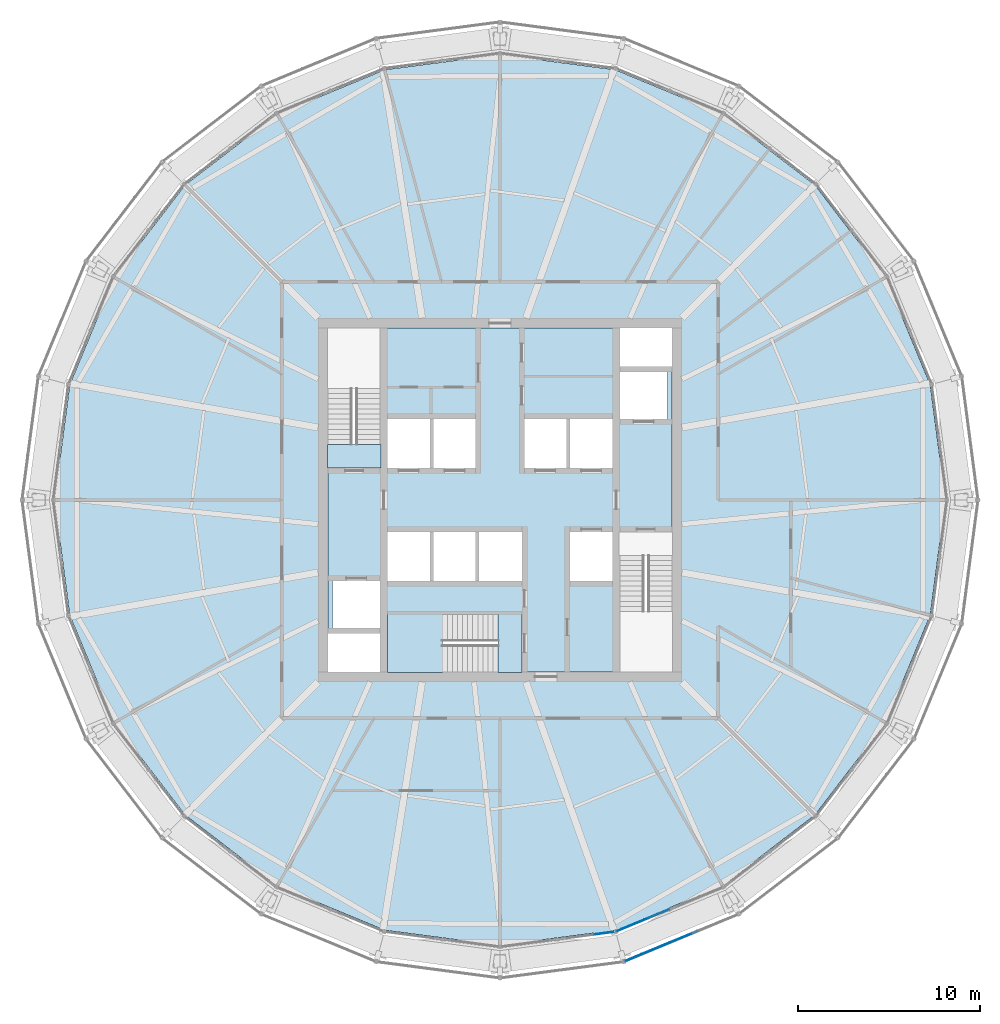
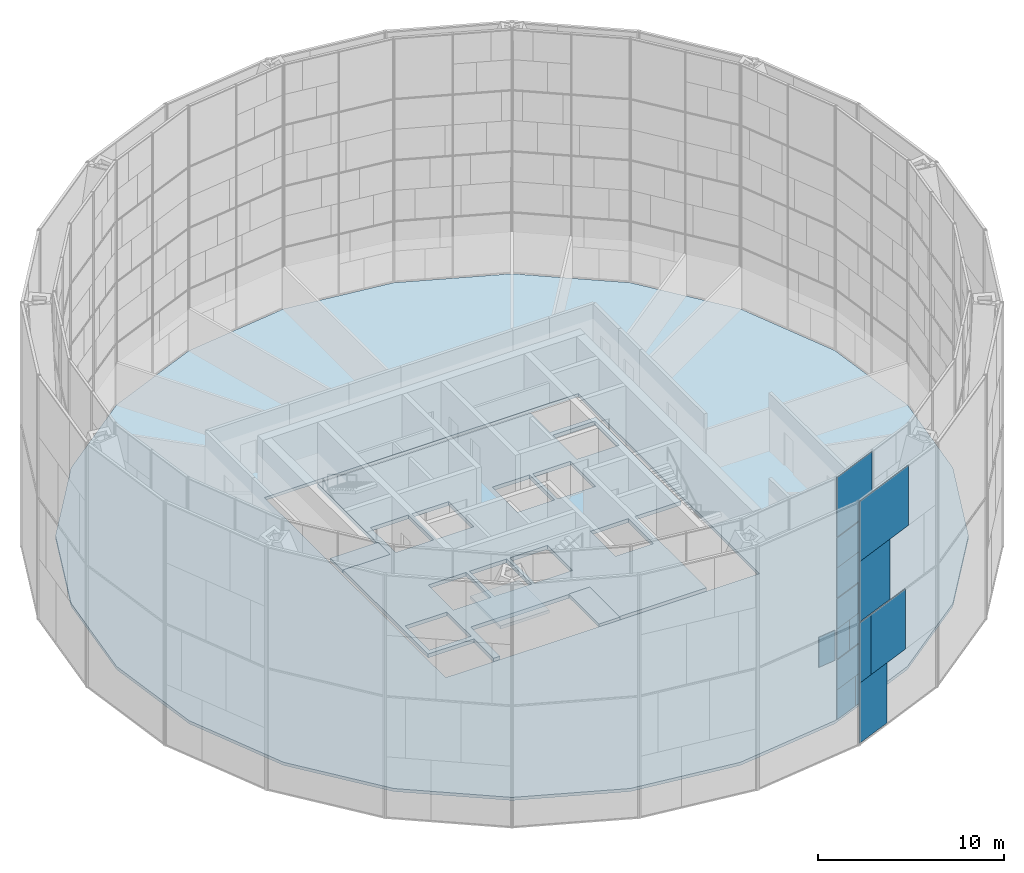
# One storey, part 17 of 30: 15 plates, 5 slabs, 4 elements without a shape of their own.
"""IFC4 building model written with IfcOpenShell, lengths in metres."""

from ifc_helpers import new_model, si_unit, direction, frame, origin, origin_2d, place, context, subcontext, project, spatial, polyline, rectangle, outline, extrude, material, layer, layer_set, type_object, element, aggregate, save


model = new_model("IFC4")

# Units and contexts
model_context = context("Model", 3, precision=1e-05, world=origin(), true_north=direction((0.0, 1.0)))
body_context = subcontext(model_context, "Body", "Model", "MODEL_VIEW")
ifc_project = project(units=[si_unit("LENGTHUNIT", "METRE"), si_unit("AREAUNIT", "SQUARE_METRE"), si_unit("VOLUMEUNIT", "CUBIC_METRE"), si_unit("PLANEANGLEUNIT", "RADIAN"), si_unit("MASSUNIT", "GRAM", prefix="KILO")], contexts=[model_context])

# Site, building, storey
site_placement = place(None, origin())
site = spatial("IfcSite", under=ifc_project, at=site_placement, CompositionType="ELEMENT")
building_placement = place(site_placement, origin())
building = spatial("IfcBuilding", under=site, at=building_placement, Name="Golbaran Civic Tower", CompositionType="ELEMENT")
storey_placement = place(building_placement, frame((0.0, 0.0, 102.0)))
storey = spatial("IfcBuildingStorey", under=building, at=storey_placement, Name="L24", CompositionType="ELEMENT", Elevation=102.0)

# Slabs
ifc_material_1 = material(Name="Concrete LC30/33 lightweight on steel deck", Category="concrete")
ifc_layer_1 = layer(ifc_material_1, 0.199951171875, Name="Concrete LC30/33 lightweight on steel deck")
ifc_layer_set_1 = layer_set([ifc_layer_1], Name="Concrete LC30/33 lightweight on steel deck")
slab_type_1 = type_object("IfcSlabType", Name="COMPOSITE FLOOR SLAB 200", PredefinedType="FLOOR", material=ifc_layer_set_1)
slab_1_placement = place(storey_placement, frame((0.0, 0.0, -0.199951171875)))
element("IfcSlab", 1, at=slab_1_placement, inside=storey, type_object=slab_type_1, Name="Floor slab L24", PredefinedType="FLOOR", context=body_context, shape_type="SweptSolid", body=[
    extrude(outline(polyline([(21.21533203125, -12.24853515625), (17.322265625, -17.322265625), (12.24853515625, -21.21533203125), (6.34033203125, -23.66259765625), (0.0, -24.497314453125), (-6.34033203125, -23.66259765625), (-12.24853515625, -21.21533203125), (-17.322265625, -17.322265625), (-21.21533203125, -12.24853515625), (-23.66259765625, -6.34033203125), (-24.497314453125, 0.0), (-23.66259765625, 6.34033203125), (-21.21533203125, 12.24853515625), (-17.322265625, 17.322265625), (-12.24853515625, 21.21533203125), (-6.34033203125, 23.66259765625), (0.0, 24.497314453125), (6.34033203125, 23.66259765625), (12.24853515625, 21.21533203125), (17.322265625, 17.322265625), (21.21533203125, 12.24853515625), (23.66259765625, 6.34033203125), (24.497314453125, 0.0), (23.66259765625, -6.34033203125), (21.21533203125, -12.24853515625)]), holes=[polyline([(-9.72509765625, 9.72509765625), (-9.72509765625, -9.72509765625), (9.72509765625, -9.72509765625), (9.72509765625, 9.72509765625), (-9.72509765625, 9.72509765625)])]), origin(), (0.0, 0.0, 1.0), 0.199951171875),
])
ifc_material_2 = material(Name="Concrete C35/45", Category="concrete")
ifc_layer_2 = layer(ifc_material_2, 0.25, Name="Concrete C35/45")
ifc_layer_set_2 = layer_set([ifc_layer_2], Name="Concrete C35/45")
slab_type_2 = type_object("IfcSlabType", Name="CORE FLOOR SLAB 250", PredefinedType="FLOOR", material=ifc_layer_set_2)
slab_2_placement = place(storey_placement, frame((0.0, 0.0, -0.25)))
element("IfcSlab", 2, at=slab_2_placement, inside=storey, type_object=slab_type_2, Name="Core floor slab L24", PredefinedType="FLOOR", context=body_context, shape_type="SweptSolid", body=[
    extrude(outline(polyline([(6.60009765625, -1.75), (6.60009765625, -9.449951171875), (1.199951171875, -9.449951171875), (1.199951171875, -6.300048828125), (-6.199951171875, -6.300048828125), (-6.199951171875, -9.449951171875), (-6.60009765625, -9.449951171875), (-6.60009765625, -7.35009765625), (-9.449951171875, -7.35009765625), (-9.449951171875, 1.75), (-6.60009765625, 1.75), (-6.60009765625, 9.449951171875), (6.60009765625, 9.449951171875), (6.60009765625, 7.35009765625), (9.449951171875, 7.35009765625), (9.449951171875, -1.75), (6.60009765625, -1.75)]), holes=[polyline([(9.199951171875, 7.050048828125), (6.60009765625, 7.050048828125), (6.60009765625, 4.449951171875), (9.199951171875, 4.449951171875), (9.199951171875, 7.050048828125)]), polyline([(6.199951171875, -1.75), (3.85009765625, -1.75), (3.85009765625, -4.449951171875), (6.199951171875, -4.449951171875), (6.199951171875, -1.75)]), polyline([(6.199951171875, 4.449951171875), (3.85009765625, 4.449951171875), (3.85009765625, 1.75), (6.199951171875, 1.75), (6.199951171875, 4.449951171875)]), polyline([(3.64990234375, 4.449951171875), (1.35009765625, 4.449951171875), (1.35009765625, 1.75), (3.64990234375, 1.75), (3.64990234375, 4.449951171875)]), polyline([(1.199951171875, -1.75), (-1.14990234375, -1.75), (-1.14990234375, -4.449951171875), (1.199951171875, -4.449951171875), (1.199951171875, -1.75)]), polyline([(-1.35009765625, 4.449951171875), (-3.64990234375, 4.449951171875), (-3.64990234375, 1.75), (-1.35009765625, 1.75), (-1.35009765625, 4.449951171875)]), polyline([(-1.35009765625, -1.75), (-3.64990234375, -1.75), (-3.64990234375, -4.449951171875), (-1.35009765625, -4.449951171875), (-1.35009765625, -1.75)]), polyline([(-3.85009765625, -1.75), (-6.199951171875, -1.75), (-6.199951171875, -4.449951171875), (-3.85009765625, -4.449951171875), (-3.85009765625, -1.75)]), polyline([(-3.85009765625, 4.449951171875), (-6.199951171875, 4.449951171875), (-6.199951171875, 1.75), (-3.85009765625, 1.75), (-3.85009765625, 4.449951171875)]), polyline([(-6.60009765625, -4.449951171875), (-9.199951171875, -4.449951171875), (-9.199951171875, -7.050048828125), (-6.60009765625, -7.050048828125), (-6.60009765625, -4.449951171875)])]), origin(), (0.0, 0.0, 1.0), 0.25),
])

# Curtain wall, plate
ifc_material_3 = material(Name="Aluminium and glass", Category="aluminium")
curtain_wall_type_1 = type_object("IfcCurtainWallType", Name="INNER SKIN CURTAIN WALL", PredefinedType="NOTDEFINED", material=ifc_material_3)
curtain_wall_1_placement = place(storey_placement, origin())
curtain_wall_1 = element("IfcCurtainWall", 3, at=curtain_wall_1_placement, inside=storey, type_object=curtain_wall_type_1, Name="Inner skin L24 facet 19 CW1", ObjectType="INNER SKIN", PredefinedType="USERDEFINED")
ifc_material_4 = material(Name="Clear insulating glass", Category="glass")
ifc_layer_3 = layer(ifc_material_4, 0.031982421875, Name="Clear insulating glass")
ifc_layer_set_3 = layer_set([ifc_layer_3], Name="Clear insulating glass")
plate_type_1 = type_object("IfcPlateType", Name="INNER SKIN CURTAIN WALL GLAZED PANEL", PredefinedType="CURTAIN_PANEL", material=ifc_layer_set_3)
plate_1_placement = place(storey_placement, frame((5.749755859375, -23.821044921875, 4.03271484375), z_axis=(0.0, 0.0, 1.0), x_axis=(0.991444861385, 0.130526192134, 0.0)))
plate_1 = element("IfcPlate", 4, at=plate_1_placement, type_object=plate_type_1, Name="CW1 panel 2.2 part 2", PredefinedType="CURTAIN_PANEL", context=body_context, shape_type="SweptSolid", body=[
    extrude(rectangle(XDim=1.103515625, YDim=0.031982421875, at=origin_2d()), origin(), (0.0, 0.0, 1.0), 1.967529296875),
])
aggregate(curtain_wall_1, [plate_1])

# Curtain wall, plates
curtain_wall_2_placement = place(storey_placement, origin())
curtain_wall_2 = element("IfcCurtainWall", 5, at=curtain_wall_2_placement, inside=storey, type_object=curtain_wall_type_1, Name="Inner skin L24 facet 20 CW1", ObjectType="INNER SKIN", PredefinedType="USERDEFINED")
plate_2_placement = place(storey_placement, frame((8.620361328125, -22.8046875, 0.06494140625), z_axis=(0.0, 0.0, 1.0), x_axis=(0.923879532465, 0.382683432478, 0.0)))
plate_2 = element("IfcPlate", 6, at=plate_2_placement, type_object=plate_type_1, Name="CW1 panel 1.1 part 2", PredefinedType="CURTAIN_PANEL", context=body_context, shape_type="SweptSolid", body=[
    extrude(rectangle(XDim=1.460693359375, YDim=0.031982421875, at=origin_2d()), origin(), (0.0, 0.0, 1.0), 1.951171875),
])
plate_3_placement = place(storey_placement, frame((6.931396484375, -23.50439453125, 4.03271484375), z_axis=(0.0, 0.0, 1.0), x_axis=(0.923879532465, 0.382683432478, 0.0)))
plate_3 = element("IfcPlate", 7, at=plate_3_placement, type_object=plate_type_1, Name="CW1 panel 1.2 part 1", PredefinedType="CURTAIN_PANEL", context=body_context, shape_type="SweptSolid", body=[
    extrude(rectangle(XDim=1.10400390625, YDim=0.031982421875, at=origin_2d()), origin(), (0.0, 0.0, 1.0), 1.967529296875),
])
plate_4_placement = place(storey_placement, frame((7.307861328125, -23.348388671875, 6.0), z_axis=(0.0, 0.0, 1.0), x_axis=(0.923879532465, 0.382683432478, 0.0)))
plate_4 = element("IfcPlate", 8, at=plate_4_placement, type_object=plate_type_1, Name="CW1 panel 1.2 part 3", PredefinedType="CURTAIN_PANEL", context=body_context, shape_type="SweptSolid", body=[
    extrude(rectangle(XDim=1.9189453125, YDim=0.031982421875, at=origin_2d()), origin(), (0.0, 0.0, 1.0), 1.967529296875),
])
plate_5_placement = place(storey_placement, frame((7.672607421875, -23.197265625, 8.03271484375), z_axis=(0.0, 0.0, 1.0), x_axis=(0.923879532465, 0.382683432478, 0.0)))
plate_5 = element("IfcPlate", 9, at=plate_5_placement, type_object=plate_type_1, Name="CW1 panel 1.3 part 1", PredefinedType="CURTAIN_PANEL", context=body_context, shape_type="SweptSolid", body=[
    extrude(rectangle(XDim=2.708984375, YDim=0.031982421875, at=origin_2d()), origin(), (0.0, 0.0, 1.0), 1.967529296875),
])
plate_6_placement = place(storey_placement, frame((7.858154296875, -23.120361328125, 10.0), z_axis=(0.0, 0.0, 1.0), x_axis=(0.923879532465, 0.382683432478, 0.0)))
plate_6 = element("IfcPlate", 10, at=plate_6_placement, type_object=plate_type_1, Name="CW1 panel 1.3 part 3", PredefinedType="CURTAIN_PANEL", context=body_context, shape_type="SweptSolid", body=[
    extrude(rectangle(XDim=3.110595703125, YDim=0.031982421875, at=origin_2d()), origin(), (0.0, 0.0, 1.0), 1.967529296875),
])
plate_7_placement = place(storey_placement, frame((7.858154296875, -23.120361328125, 12.0322265625), z_axis=(0.0, 0.0, 1.0), x_axis=(0.923879532465, 0.382683432478, 0.0)))
plate_7 = element("IfcPlate", 11, at=plate_7_placement, type_object=plate_type_1, Name="CW1 panel 1.4", PredefinedType="CURTAIN_PANEL", context=body_context, shape_type="SweptSolid", body=[
    extrude(rectangle(XDim=3.110595703125, YDim=0.031982421875, at=origin_2d()), origin(), (0.0, 0.0, 1.0), 3.902587890625),
])
ifc_material_5 = material(Name="Aluminium faced opaque infill panel", Category="aluminium")
ifc_layer_4 = layer(ifc_material_5, 0.031982421875, Name="Aluminium faced opaque infill panel")
ifc_layer_set_4 = layer_set([ifc_layer_4], Name="Aluminium faced opaque infill panel")
plate_type_2 = type_object("IfcPlateType", Name="INNER SKIN CURTAIN WALL OPAQUE INFILL PANEL", PredefinedType="CURTAIN_PANEL", material=ifc_layer_set_4)
plate_8_placement = place(storey_placement, frame((7.18359375, -23.39990234375, 0.06494140625), z_axis=(0.0, 0.0, 1.0), x_axis=(0.923879532465, 0.382683432478, 0.0)))
plate_8 = element("IfcPlate", 12, at=plate_8_placement, type_object=plate_type_2, Name="CW1 infill panel 1.1 part 1", PredefinedType="CURTAIN_PANEL", context=body_context, shape_type="SweptSolid", body=[
    extrude(rectangle(XDim=1.64990234375, YDim=0.031982421875, at=origin_2d()), origin(), (0.0, 0.0, 1.0), 1.951171875),
])
plate_9_placement = place(storey_placement, frame((7.55712890625, -23.2451171875, 2.016357421875), z_axis=(0.0, 0.0, 1.0), x_axis=(0.923879532465, 0.382683432478, 0.0)))
plate_9 = element("IfcPlate", 13, at=plate_9_placement, type_object=plate_type_2, Name="CW1 infill panel 1.1 part 3", PredefinedType="CURTAIN_PANEL", context=body_context, shape_type="SweptSolid", body=[
    extrude(rectangle(XDim=2.458984375, YDim=0.031982421875, at=origin_2d()), origin(), (0.0, 0.0, 1.0), 1.951171875),
])
plate_10_placement = place(storey_placement, frame((8.3681640625, -22.9091796875, 4.03271484375), z_axis=(0.0, 0.0, 1.0), x_axis=(0.923879532465, 0.382683432478, 0.0)))
plate_10 = element("IfcPlate", 14, at=plate_10_placement, type_object=plate_type_2, Name="CW1 infill panel 1.2 part 2", PredefinedType="CURTAIN_PANEL", context=body_context, shape_type="SweptSolid", body=[
    extrude(rectangle(XDim=2.006591796875, YDim=0.031982421875, at=origin_2d()), origin(), (0.0, 0.0, 1.0), 1.967529296875),
])
aggregate(curtain_wall_2, [plate_8, plate_2, plate_9, plate_3, plate_10, plate_4, plate_5, plate_6, plate_7])

curtain_wall_type_2 = type_object("IfcCurtainWallType", Name="OUTER SKIN TERRACOTTA SCREEN", PredefinedType="NOTDEFINED", material=ifc_material_3)
curtain_wall_3_placement = place(storey_placement, origin())
curtain_wall_3 = element("IfcCurtainWall", 15, at=curtain_wall_3_placement, inside=storey, type_object=curtain_wall_type_2, Name="Outer skin L24 facet 20 CW3", ObjectType="OUTER SKIN", PredefinedType="USERDEFINED")
ifc_material_6 = material(Name="Clear laminated glass", Category="glass")
ifc_layer_5 = layer(ifc_material_6, 0.0400390625, Name="Clear laminated glass")
ifc_layer_set_5 = layer_set([ifc_layer_5], Name="Clear laminated glass")
plate_type_3 = type_object("IfcPlateType", Name="OUTER SKIN CLEAR GLASS PANEL", PredefinedType="CURTAIN_PANEL", material=ifc_layer_set_5)
plate_11_placement = place(storey_placement, frame((7.346923828125, -25.172607421875, 3.31005859375), z_axis=(0.0, 0.0, 1.0), x_axis=(0.923879532505, 0.382683432381, 0.0)))
plate_11 = element("IfcPlate", 16, at=plate_11_placement, type_object=plate_type_3, Name="CW3 panel 1.1 part 3", PredefinedType="CURTAIN_PANEL", context=body_context, shape_type="SweptSolid", body=[
    extrude(rectangle(XDim=1.012939453125, YDim=0.0400390625, at=origin_2d()), origin(), (0.0, 0.0, 1.0), 3.93994140625),
])
plate_12_placement = place(storey_placement, frame((8.1162109375, -24.85400390625, 7.330078125), z_axis=(0.0, 0.0, 1.0), x_axis=(0.923879532505, 0.382683432381, 0.0)))
plate_12 = element("IfcPlate", 17, at=plate_12_placement, type_object=plate_type_3, Name="CW3 panel 1.2 part 1", PredefinedType="CURTAIN_PANEL", context=body_context, shape_type="SweptSolid", body=[
    extrude(rectangle(XDim=2.677978515625, YDim=0.0400390625, at=origin_2d()), origin(), (0.0, 0.0, 1.0), 3.93994140625),
])
plate_13_placement = place(storey_placement, frame((8.8701171875, -24.541748046875, 11.27001953125), z_axis=(0.0, 0.0, 1.0), x_axis=(0.923879532505, 0.382683432381, 0.0)))
plate_13 = element("IfcPlate", 18, at=plate_13_placement, type_object=plate_type_3, Name="CW3 panel 1.2 part 4", PredefinedType="CURTAIN_PANEL", context=body_context, shape_type="SweptSolid", body=[
    extrude(rectangle(XDim=4.31005859375, YDim=0.0400390625, at=origin_2d()), origin(), (0.0, 0.0, 1.0), 3.93994140625),
])
ifc_material_7 = material(Name="Terracotta baguette screen", Category="masonry")
ifc_layer_6 = layer(ifc_material_7, 0.0400390625, Name="Terracotta baguette screen")
ifc_layer_set_6 = layer_set([ifc_layer_6], Name="Terracotta baguette screen")
plate_type_4 = type_object("IfcPlateType", Name="OUTER SKIN TERRACOTTA INFILL PANEL", PredefinedType="CURTAIN_PANEL", material=ifc_layer_set_6)
plate_14_placement = place(storey_placement, frame((7.9853515625, -24.908203125, -0.6298828125), z_axis=(0.0, 0.0, 1.0), x_axis=(0.923879532505, 0.382683432381, 0.0)))
plate_14 = element("IfcPlate", 19, at=plate_14_placement, type_object=plate_type_4, Name="CW3 infill panel 1.1 part 1", PredefinedType="CURTAIN_PANEL", context=body_context, shape_type="SweptSolid", body=[
    extrude(rectangle(XDim=2.39501953125, YDim=0.0400390625, at=origin_2d()), origin(), (0.0, 0.0, 1.0), 3.93994140625),
])
plate_15_placement = place(storey_placement, frame((9.207275390625, -24.402099609375, 3.31005859375), z_axis=(0.0, 0.0, 1.0), x_axis=(0.923879532505, 0.382683432381, 0.0)))
plate_15 = element("IfcPlate", 20, at=plate_15_placement, type_object=plate_type_4, Name="CW3 infill panel 1.1 part 4", PredefinedType="CURTAIN_PANEL", context=body_context, shape_type="SweptSolid", body=[
    extrude(rectangle(XDim=3.013916015625, YDim=0.0400390625, at=origin_2d()), origin(), (0.0, 0.0, 1.0), 3.93994140625),
])
aggregate(curtain_wall_3, [plate_14, plate_11, plate_15, plate_12, plate_13])

# Slab
ifc_layer_7 = layer(ifc_material_2, 0.199951171875, Name="Concrete C35/45")
ifc_layer_set_7 = layer_set([ifc_layer_7], Name="Concrete C35/45")
slab_type_3 = type_object("IfcSlabType", Name="STAIR LANDING 200", PredefinedType="LANDING", material=ifc_layer_set_7)
slab_3_placement = place(storey_placement, frame((0.0, 0.0, -0.199951171875)))
element("IfcSlab", 21, at=slab_3_placement, inside=storey, type_object=slab_type_3, Name="Stair S1 floor landing L24", PredefinedType="LANDING", context=body_context, shape_type="SweptSolid", body=[
    extrude(outline(polyline([(-9.5, 1.75), (-9.5, 3.054931640625), (-6.550048828125, 3.054931640625), (-6.550048828125, 1.75), (-9.5, 1.75)])), origin(), (0.0, 0.0, 1.0), 0.199951171875),
])

# Stair, slab
stair_type = type_object("IfcStairType", Name="EXIT STAIR 3150 x 7400, 4000 RISE", PredefinedType="HALF_TURN_STAIR", material=ifc_material_2)
stair_placement = place(storey_placement, origin())
stair = element("IfcStair", 22, at=stair_placement, inside=storey, type_object=stair_type, Name="Stair S3 L24", PredefinedType="HALF_TURN_STAIR")
slab_4_placement = place(storey_placement, frame((0.0, 0.0, 1.800048828125)))
slab_4 = element("IfcSlab", 23, at=slab_4_placement, type_object=slab_type_3, Name="ST31574-40 landing 1", PredefinedType="LANDING", context=body_context, shape_type="SweptSolid", body=[
    extrude(outline(polyline([(-3.175048828125, -9.5), (-6.199951171875, -9.5), (-6.199951171875, -6.25), (-3.175048828125, -6.25), (-3.175048828125, -9.5)])), origin(), (0.0, 0.0, 1.0), 0.199951171875),
])
aggregate(stair, [slab_4])

# Slab
slab_5_placement = place(storey_placement, frame((0.0, 0.0, -0.199951171875)))
element("IfcSlab", 24, at=slab_5_placement, inside=storey, type_object=slab_type_3, Name="Stair S3 floor landing L24", PredefinedType="LANDING", context=body_context, shape_type="SweptSolid", body=[
    extrude(outline(polyline([(1.199951171875, -9.5), (-0.10498046875, -9.5), (-0.10498046875, -6.25), (1.199951171875, -6.25), (1.199951171875, -9.5)])), origin(), (0.0, 0.0, 1.0), 0.199951171875),
])

save(model, "model.ifc")
